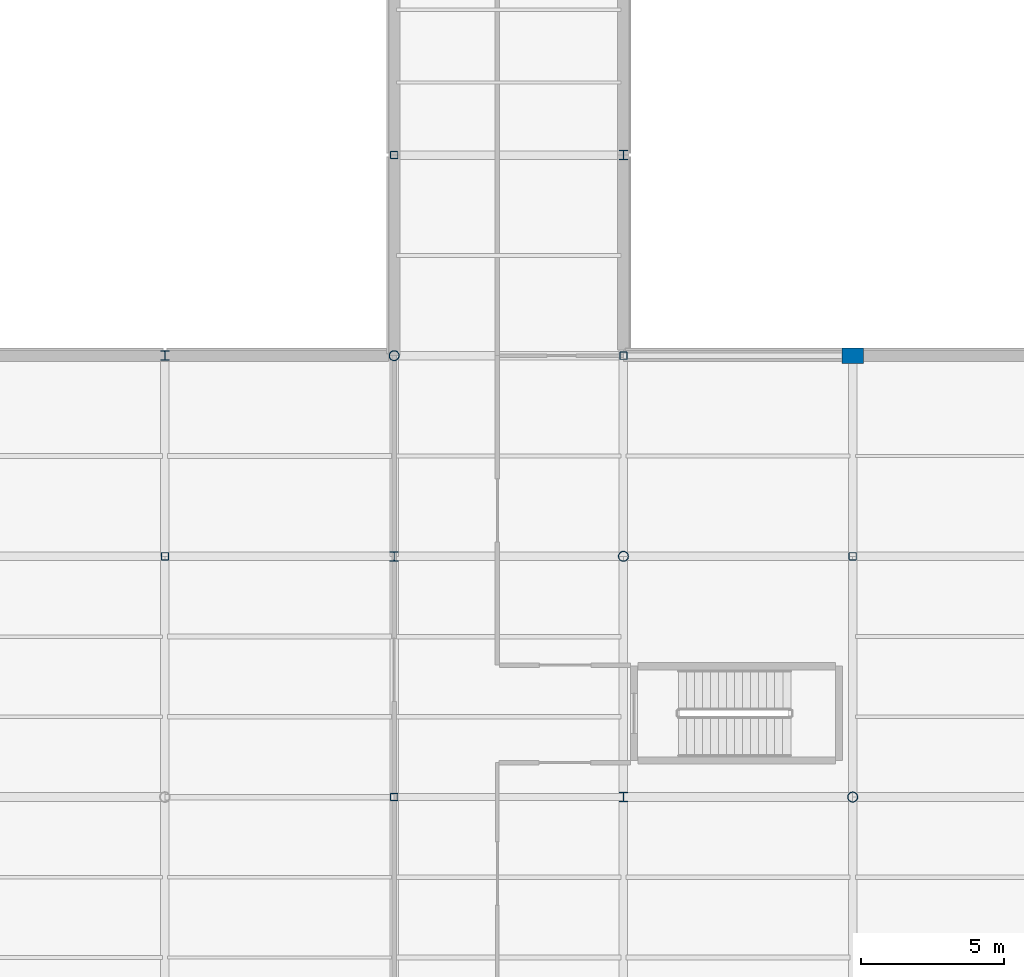
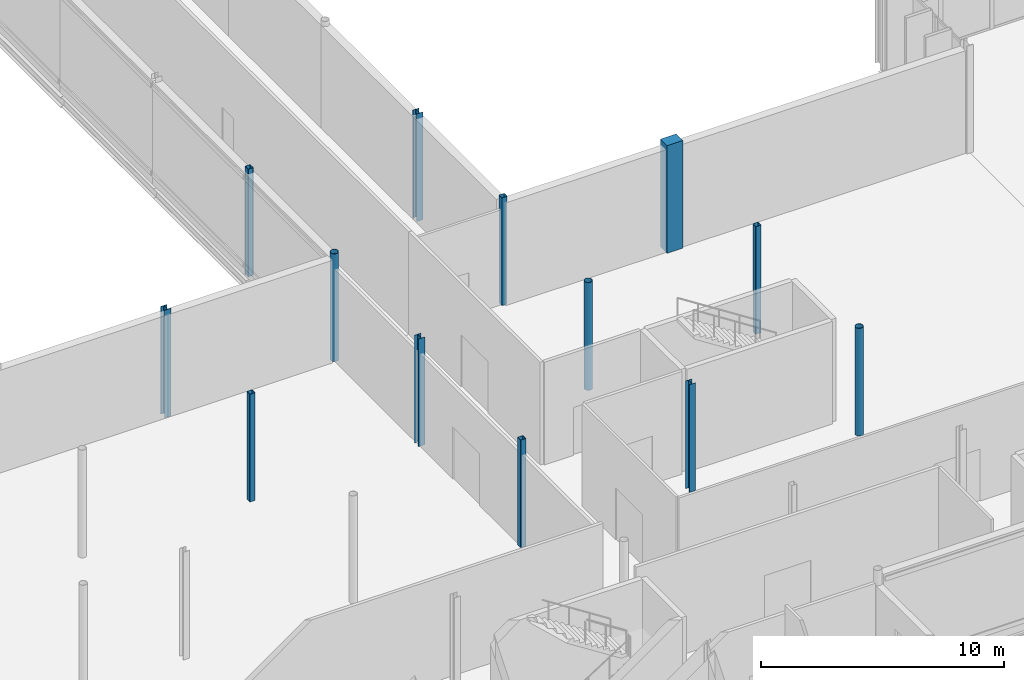
# One storey, part 9 of 147: 13 columns.
"""IFC4 building model written with IfcOpenShell, lengths in metres."""

from ifc_helpers import new_model, si_unit, direction, frame, origin, origin_2d, place, context, subcontext, project, spatial, rectangle, hollow_rectangle, hollow_circle, i_section, extrude, material, material_profile, profile_set, type_object, element, save


model = new_model("IFC4")

# Units and contexts
model_context = context("Model", 3, precision=1e-05, world=origin(), true_north=direction((0.0, 1.0)))
body_context = subcontext(model_context, "Body", "Model", "MODEL_VIEW")
ifc_project = project(units=[si_unit("LENGTHUNIT", "METRE"), si_unit("AREAUNIT", "SQUARE_METRE"), si_unit("VOLUMEUNIT", "CUBIC_METRE"), si_unit("PLANEANGLEUNIT", "RADIAN"), si_unit("MASSUNIT", "GRAM", prefix="KILO")], contexts=[model_context])

# Site, building, storey
site_placement = place(None, origin())
site = spatial("IfcSite", under=ifc_project, at=site_placement, CompositionType="ELEMENT")
building_placement = place(site_placement, origin())
building = spatial("IfcBuilding", under=site, at=building_placement, Name="Vekula Escarpment Museum", CompositionType="ELEMENT")
storey_placement = place(building_placement, frame((0.0, 0.0, 7.800048828125)))
storey = spatial("IfcBuildingStorey", under=building, at=storey_placement, Name="L02", CompositionType="ELEMENT", Elevation=7.800048828125)

# Columns
ifc_material_1 = material(Name="Steel S355", Category="steel")
ifc_material_profile_1 = material_profile(ifc_material_1, hollow_circle(Radius=0.177734375, WallThickness=0.01611328125, at=origin_2d()), Name="CHS 355.6x16")
ifc_profile_set_1 = profile_set([ifc_material_profile_1], Name="Steel S355")
column_type_1 = type_object("IfcColumnType", Name="COL-S-CHS355", PredefinedType="COLUMN", material=ifc_profile_set_1)
for number, where, z_axis, x_axis, name in (
    (1, (40.0, 83.39990234375, 0.0), (0.0, 0.0, 1.0), (1.0, 0.0, 0.0), "Column L02 (40.0,83.4)"),
    (2, (48.0, 76.39990234375, 0.0), (0.0, 0.0, 1.0), (1.0, 0.0, 0.0), "Column L02 (48.0,76.4)"),
    (3, (56.0, 68.0, 0.0), (0.0, 0.0, 1.0), (1.0, 0.0, 0.0), "Column L02 (56.0,68.0)"),
):
    element("IfcColumn", number, at=place(storey_placement, frame(where, z_axis=z_axis, x_axis=x_axis)), inside=storey, type_object=column_type_1, Name=name, PredefinedType="COLUMN", context=body_context, shape_type="SweptSolid", body=[
        extrude(hollow_circle(Radius=0.177734375, WallThickness=0.01611328125, at=origin_2d()), origin(), (0.0, 0.0, 1.0), 5.39990234375),
    ])
ifc_material_2 = material(Name="Steel S355", Category="steel")
ifc_material_profile_2 = material_profile(ifc_material_2, i_section(OverallWidth=0.300048828125, OverallDepth=0.330078125, WebThickness=0.009521484375, FlangeThickness=0.0166015625, FilletRadius=0.027099609375, at=origin_2d()), Name="HEA 340")
ifc_profile_set_2 = profile_set([ifc_material_profile_2], Name="Steel S355")
column_type_2 = type_object("IfcColumnType", Name="COL-S-HEA340", PredefinedType="COLUMN", material=ifc_profile_set_2)
for number, where, z_axis, x_axis, name in (
    (4, (32.0, 83.39990234375, 0.0), (0.0, 0.0, 1.0), (1.0, 0.0, 0.0), "Column L02 (32.0,83.4)"),
    (5, (40.0, 76.39990234375, 0.0), (0.0, 0.0, 1.0), (1.0, 0.0, 0.0), "Column L02 (40.0,76.4)"),
    (6, (48.0, 68.0, 0.0), (0.0, 0.0, 1.0), (1.0, 0.0, 0.0), "Column L02 (48.0,68.0)"),
    (7, (48.0, 90.39990234375, 0.0), (0.0, 0.0, 1.0), (1.0, 0.0, 0.0), "Column L02 (48.0,90.4)"),
):
    element("IfcColumn", number, at=place(storey_placement, frame(where, z_axis=z_axis, x_axis=x_axis)), inside=storey, type_object=column_type_2, Name=name, PredefinedType="COLUMN", context=body_context, shape_type="SweptSolid", body=[
        extrude(i_section(OverallWidth=0.300048828125, OverallDepth=0.330078125, WebThickness=0.009521484375, FlangeThickness=0.0166015625, FilletRadius=0.027099609375, at=origin_2d()), origin(), (0.0, 0.0, 1.0), 5.39990234375),
    ])
ifc_material_3 = material(Name="Steel S355", Category="steel")
ifc_material_profile_3 = material_profile(ifc_material_3, hollow_rectangle(XDim=0.260009765625, YDim=0.260009765625, WallThickness=0.012451171875, InnerFilletRadius=0.012451171875, OuterFilletRadius=0.02490234375, at=origin_2d()), Name="SHS 260x260x12.5")
ifc_profile_set_3 = profile_set([ifc_material_profile_3], Name="Steel S355")
column_type_3 = type_object("IfcColumnType", Name="COL-S-SHS260", PredefinedType="COLUMN", material=ifc_profile_set_3)
for number, where, z_axis, x_axis, name in (
    (8, (32.0, 76.39990234375, 0.0), (0.0, 0.0, 1.0), (1.0, 0.0, 0.0), "Column L02 (32.0,76.4)"),
    (9, (40.0, 68.0, 0.0), (0.0, 0.0, 1.0), (1.0, 0.0, 0.0), "Column L02 (40.0,68.0)"),
    (10, (40.0, 90.39990234375, 0.0), (0.0, 0.0, 1.0), (1.0, 0.0, 0.0), "Column L02 (40.0,90.4)"),
    (11, (48.0, 83.39990234375, 0.0), (0.0, 0.0, 1.0), (1.0, 0.0, 0.0), "Column L02 (48.0,83.4)"),
    (12, (56.0, 76.39990234375, 0.0), (0.0, 0.0, 1.0), (1.0, 0.0, 0.0), "Column L02 (56.0,76.4)"),
):
    element("IfcColumn", number, at=place(storey_placement, frame(where, z_axis=z_axis, x_axis=x_axis)), inside=storey, type_object=column_type_3, Name=name, PredefinedType="COLUMN", context=body_context, shape_type="SweptSolid", body=[
        extrude(hollow_rectangle(XDim=0.260009765625, YDim=0.260009765625, WallThickness=0.012451171875, InnerFilletRadius=0.012451171875, OuterFilletRadius=0.02490234375, at=origin_2d()), origin(), (0.0, 0.0, 1.0), 5.39990234375),
    ])
ifc_material_4 = material(Name="Inkisi arkosic sandstone masonry", Category="masonry")
ifc_material_profile_4 = material_profile(ifc_material_4, rectangle(XDim=0.75, YDim=0.550048828125, at=origin_2d()), Name="PIER 750x550")
ifc_profile_set_4 = profile_set([ifc_material_profile_4], Name="Inkisi arkosic sandstone masonry")
column_type_4 = type_object("IfcColumnType", Name="PIL-ALM-750", PredefinedType="PILASTER", material=ifc_profile_set_4)
column_placement = place(storey_placement, frame((56.0, 83.39990234375, 0.0), z_axis=(0.0, 0.0, 1.0), x_axis=(1.0, 0.0, 0.0)))
element("IfcColumn", 13, at=column_placement, inside=storey, type_object=column_type_4, Name="Column L02 (56.0,83.4)", PredefinedType="PILASTER", context=body_context, shape_type="SweptSolid", body=[
    extrude(rectangle(XDim=0.75, YDim=0.550048828125, at=origin_2d()), origin(), (0.0, 0.0, 1.0), 5.39990234375),
])

save(model, "model.ifc")
